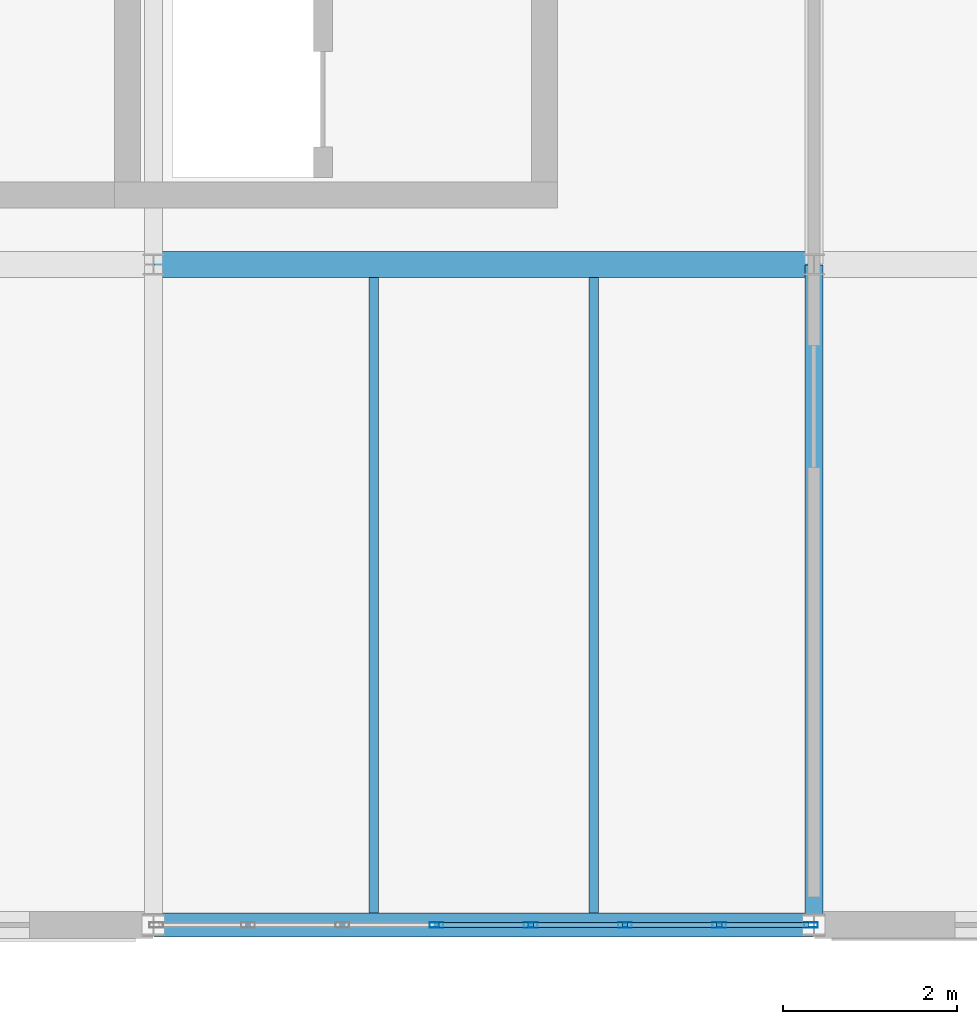
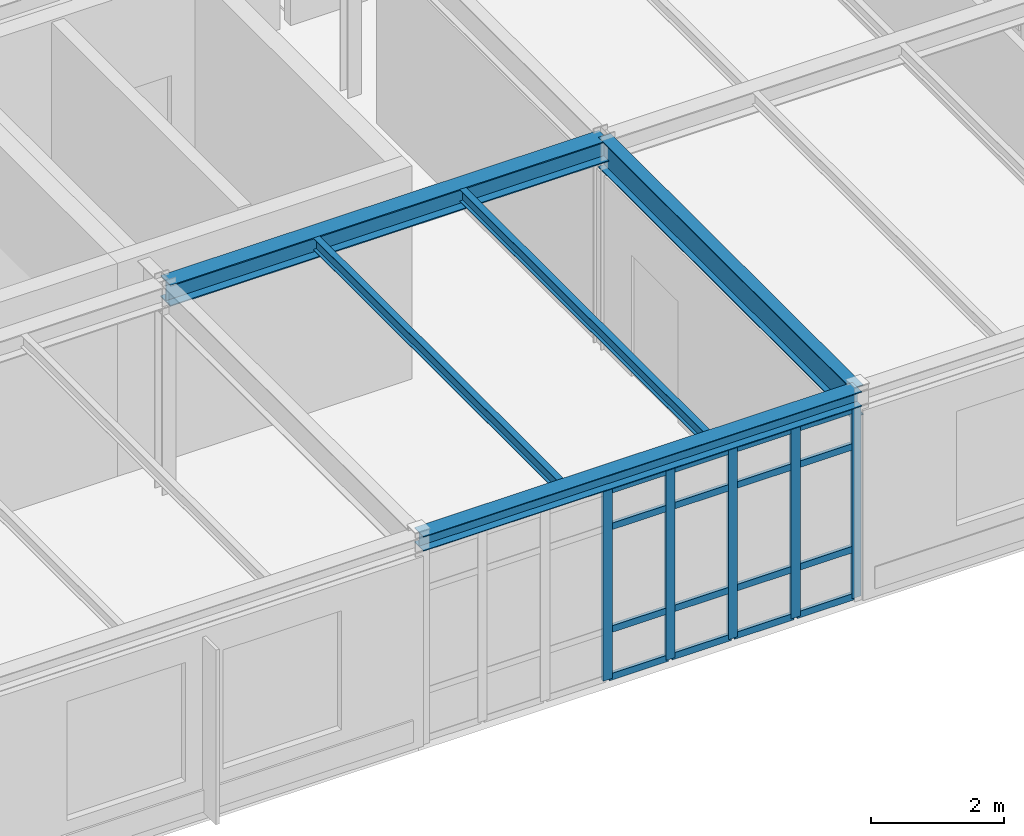
# One storey, part 25 of 189: 21 members, 5 beams, 1 element without a shape of its own.
"""IFC4 building model written with IfcOpenShell, lengths in metres."""

from ifc_helpers import new_model, si_unit, direction, frame, origin, origin_2d, place, context, subcontext, project, spatial, hollow_rectangle, i_section, extrude, material, layer, layer_set, material_profile, profile_set, type_object, element, aggregate, save


model = new_model("IFC4")

# Units and contexts
model_context = context("Model", 3, precision=1e-05, world=origin(), true_north=direction((0.0, 1.0)))
body_context = subcontext(model_context, "Body", "Model", "MODEL_VIEW")
ifc_project = project(units=[si_unit("LENGTHUNIT", "METRE"), si_unit("AREAUNIT", "SQUARE_METRE"), si_unit("VOLUMEUNIT", "CUBIC_METRE"), si_unit("PLANEANGLEUNIT", "RADIAN"), si_unit("MASSUNIT", "GRAM", prefix="KILO")], contexts=[model_context])

# Site, building, storey
site_placement = place(None, origin())
site = spatial("IfcSite", under=ifc_project, at=site_placement, CompositionType="ELEMENT")
building_placement = place(site_placement, origin())
building = spatial("IfcBuilding", under=site, at=building_placement, Name="Montecoro Central Library", CompositionType="ELEMENT")
storey_placement = place(building_placement, frame((0.0, 0.0, 9.179931640625)))
storey = spatial("IfcBuildingStorey", under=building, at=storey_placement, Name="L02", CompositionType="ELEMENT", Elevation=9.179931640625)

# Beams
ifc_material_1 = material(Name="Steel S355", Category="steel")
ifc_material_profile_1 = material_profile(ifc_material_1, i_section(OverallWidth=0.300048828125, OverallDepth=0.389892578125, WebThickness=0.010986328125, FlangeThickness=0.01904296875, at=origin_2d()), Name="HEA 400")
ifc_profile_set_1 = profile_set([ifc_material_profile_1], Name="Steel S355")
beam_type_1 = type_object("IfcBeamType", Name="BM-G-HEA400", PredefinedType="USERDEFINED", material=ifc_profile_set_1)
beam_1_placement = place(storey_placement, frame((12.60498046875, 12.60009765625, 3.630126953125), z_axis=(1.0, 0.0, 0.0), x_axis=(0.0, 1.0, 0.0)))
element("IfcBeam", 1, at=beam_1_placement, inside=storey, type_object=beam_type_1, Name="V3-L02-BX-23-B", ObjectType="GIRDER", PredefinedType="USERDEFINED", context=body_context, shape_type="SweptSolid", body=[
    extrude(i_section(OverallWidth=0.300048828125, OverallDepth=0.389892578125, WebThickness=0.010986328125, FlangeThickness=0.01904296875, at=origin_2d()), origin(), (0.0, 0.0, 1.0), 7.590087890625),
])
ifc_material_2 = material(Name="Steel S355J2", Category="steel")
ifc_material_profile_2 = material_profile(ifc_material_2, i_section(OverallWidth=0.2099609375, OverallDepth=0.550048828125, WebThickness=0.010986328125, FlangeThickness=0.01708984375, at=origin_2d()), Name="IPE 550")
ifc_profile_set_2 = profile_set([ifc_material_profile_2], Name="Steel S355J2")
beam_type_2 = type_object("IfcBeamType", Name="BM-G-IPE550", PredefinedType="USERDEFINED", material=ifc_profile_set_2)
beam_2_placement = place(storey_placement, frame((20.199951171875, 5.0048828125, 3.550048828125), z_axis=(0.0, 1.0, 0.0), x_axis=(-1.0, 0.0, 0.0)))
element("IfcBeam", 2, at=beam_2_placement, inside=storey, type_object=beam_type_2, Name="V3-L02-BY-3-AB", ObjectType="GIRDER", PredefinedType="USERDEFINED", context=body_context, shape_type="SweptSolid", body=[
    extrude(i_section(OverallWidth=0.2099609375, OverallDepth=0.550048828125, WebThickness=0.010986328125, FlangeThickness=0.01708984375, at=origin_2d()), origin(), (0.0, 0.0, 1.0), 7.590087890625),
])
ifc_material_profile_3 = material_profile(ifc_material_1, i_section(OverallWidth=0.110107421875, OverallDepth=0.219970703125, WebThickness=0.005859375, FlangeThickness=0.00927734375, at=origin_2d()), Name="IPE 220")
ifc_profile_set_3 = profile_set([ifc_material_profile_3], Name="Steel S355")
beam_type_3 = type_object("IfcBeamType", Name="BM-J-IPE220", PredefinedType="JOIST", material=ifc_profile_set_3)
for number, where, z_axis, x_axis, name in (
    (3, (15.133056640625, 5.136962890625, 3.715087890625), (0.0, 1.0, 0.0), (-1.0, 0.0, 0.0), "V3-L02-JS-23-AB-1"),
    (4, (17.6669921875, 5.136962890625, 3.715087890625), (0.0, 1.0, 0.0), (-1.0, 0.0, 0.0), "V3-L02-JS-23-AB-2"),
):
    element("IfcBeam", number, at=place(storey_placement, frame(where, z_axis=z_axis, x_axis=x_axis)), inside=storey, type_object=beam_type_3, Name=name, PredefinedType="JOIST", context=body_context, shape_type="SweptSolid", body=[
        extrude(i_section(OverallWidth=0.110107421875, OverallDepth=0.219970703125, WebThickness=0.005859375, FlangeThickness=0.00927734375, at=origin_2d()), origin(), (0.0, 0.0, 1.0), 7.31591796875),
    ])
ifc_material_profile_4 = material_profile(ifc_material_1, i_section(OverallWidth=0.280029296875, OverallDepth=0.27001953125, WebThickness=0.008056640625, FlangeThickness=0.012939453125, at=origin_2d()), Name="HEA 280")
ifc_profile_set_4 = profile_set([ifc_material_profile_4], Name="Steel S355")
beam_type_4 = type_object("IfcBeamType", Name="BM-SP-HEA280", PredefinedType="SPANDREL", material=ifc_profile_set_4)
beam_3_placement = place(storey_placement, frame((12.60498046875, 5.0, 3.690185546875), z_axis=(1.0, 0.0, 0.0), x_axis=(0.0, 1.0, 0.0)))
element("IfcBeam", 5, at=beam_3_placement, inside=storey, type_object=beam_type_4, Name="V3-L02-BX-23-A", PredefinedType="SPANDREL", context=body_context, shape_type="SweptSolid", body=[
    extrude(i_section(OverallWidth=0.280029296875, OverallDepth=0.27001953125, WebThickness=0.008056640625, FlangeThickness=0.012939453125, at=origin_2d()), origin(), (0.0, 0.0, 1.0), 7.590087890625),
])

# Curtain wall, members
ifc_material_3 = material(Name="Bronze-anodised aluminium and low-E glazing", Category="aluminium")
ifc_layer = layer(ifc_material_3, 0.159912109375)
ifc_layer_set = layer_set([ifc_layer], Name="Bronze-anodised aluminium and low-E glazing")
curtain_wall_type = type_object("IfcCurtainWallType", Name="CWT-033", PredefinedType="NOTDEFINED", material=ifc_layer_set)
curtain_wall_placement = place(storey_placement, origin())
curtain_wall = element("IfcCurtainWall", 6, at=curtain_wall_placement, inside=storey, type_object=curtain_wall_type, Name="V3-L02-CW-S1", PredefinedType="NOTDEFINED")
ifc_material_4 = material(Name="Bronze-anodised aluminium", Category="aluminium")
ifc_material_profile_5 = material_profile(ifc_material_4, hollow_rectangle(XDim=0.06005859375, YDim=0.159912109375, WallThickness=0.00390625, at=origin_2d()), Name="CWM 160x60x4.0")
ifc_profile_set_5 = profile_set([ifc_material_profile_5], Name="Bronze-anodised aluminium")
member_type_1 = type_object("IfcMemberType", Name="CWM-BRZ-60", PredefinedType="MULLION", material=ifc_profile_set_5)
member_1_placement = place(storey_placement, frame((15.857666015625, 5.0, 0.0), z_axis=(0.0, 0.0, 1.0), x_axis=(0.0, 1.0, 0.0)))
member_1 = element("IfcMember", 7, at=member_1_placement, type_object=member_type_1, Name="CW-033 mullion 4", PredefinedType="MULLION", context=body_context, shape_type="SweptSolid", body=[
    extrude(hollow_rectangle(XDim=0.06005859375, YDim=0.159912109375, WallThickness=0.00390625, at=origin_2d()), origin(), (0.0, 0.0, 1.0), 3.47998046875),
])
member_2_placement = place(storey_placement, frame((16.9423828125, 5.0, 0.0), z_axis=(0.0, 0.0, 1.0), x_axis=(0.0, 1.0, 0.0)))
member_2 = element("IfcMember", 8, at=member_2_placement, type_object=member_type_1, Name="CW-033 mullion 5", PredefinedType="MULLION", context=body_context, shape_type="SweptSolid", body=[
    extrude(hollow_rectangle(XDim=0.06005859375, YDim=0.159912109375, WallThickness=0.00390625, at=origin_2d()), origin(), (0.0, 0.0, 1.0), 3.47998046875),
])
member_3_placement = place(storey_placement, frame((18.02685546875, 5.0, 0.0), z_axis=(0.0, 0.0, 1.0), x_axis=(0.0, 1.0, 0.0)))
member_3 = element("IfcMember", 9, at=member_3_placement, type_object=member_type_1, Name="CW-033 mullion 6", PredefinedType="MULLION", context=body_context, shape_type="SweptSolid", body=[
    extrude(hollow_rectangle(XDim=0.06005859375, YDim=0.159912109375, WallThickness=0.00390625, at=origin_2d()), origin(), (0.0, 0.0, 1.0), 3.47998046875),
])
member_4_placement = place(storey_placement, frame((19.111328125, 5.0, 0.0), z_axis=(0.0, 0.0, 1.0), x_axis=(0.0, 1.0, 0.0)))
member_4 = element("IfcMember", 10, at=member_4_placement, type_object=member_type_1, Name="CW-033 mullion 7", PredefinedType="MULLION", context=body_context, shape_type="SweptSolid", body=[
    extrude(hollow_rectangle(XDim=0.06005859375, YDim=0.159912109375, WallThickness=0.00390625, at=origin_2d()), origin(), (0.0, 0.0, 1.0), 3.47998046875),
])
member_5_placement = place(storey_placement, frame((20.166015625, 5.0, 0.0), z_axis=(0.0, 0.0, 1.0), x_axis=(0.0, 1.0, 0.0)))
member_5 = element("IfcMember", 11, at=member_5_placement, type_object=member_type_1, Name="CW-033 mullion 8", PredefinedType="MULLION", context=body_context, shape_type="SweptSolid", body=[
    extrude(hollow_rectangle(XDim=0.06005859375, YDim=0.159912109375, WallThickness=0.00390625, at=origin_2d()), origin(), (0.0, 0.0, 1.0), 3.47998046875),
])
ifc_material_profile_6 = material_profile(ifc_material_4, hollow_rectangle(XDim=0.06005859375, YDim=0.1201171875, WallThickness=0.00390625, at=origin_2d()), Name="CWT 120x60x4.0")
ifc_profile_set_6 = profile_set([ifc_material_profile_6], Name="Bronze-anodised aluminium")
member_type_2 = type_object("IfcMemberType", Name="CWT-BRZ-60", PredefinedType="USERDEFINED", material=ifc_profile_set_6)
member_6_placement = place(storey_placement, frame((15.8876953125, 5.0, 0.030029296875), z_axis=(1.0, 0.0, 0.0), x_axis=(0.0, 1.0, 0.0)))
member_6 = element("IfcMember", 12, at=member_6_placement, type_object=member_type_2, Name="CW-033 transom 4.1", ObjectType="TRANSOM", PredefinedType="USERDEFINED", context=body_context, shape_type="SweptSolid", body=[
    extrude(hollow_rectangle(XDim=0.06005859375, YDim=0.1201171875, WallThickness=0.00390625, at=origin_2d()), origin(), (0.0, 0.0, 1.0), 1.024658203125),
])
member_7_placement = place(storey_placement, frame((15.8876953125, 5.0, 0.900146484375), z_axis=(1.0, 0.0, 0.0), x_axis=(0.0, 1.0, 0.0)))
member_7 = element("IfcMember", 13, at=member_7_placement, type_object=member_type_2, Name="CW-033 transom 4.2", ObjectType="TRANSOM", PredefinedType="USERDEFINED", context=body_context, shape_type="SweptSolid", body=[
    extrude(hollow_rectangle(XDim=0.06005859375, YDim=0.1201171875, WallThickness=0.00390625, at=origin_2d()), origin(), (0.0, 0.0, 1.0), 1.024658203125),
])
member_8_placement = place(storey_placement, frame((15.8876953125, 5.0, 2.780029296875), z_axis=(1.0, 0.0, 0.0), x_axis=(0.0, 1.0, 0.0)))
member_8 = element("IfcMember", 14, at=member_8_placement, type_object=member_type_2, Name="CW-033 transom 4.3", ObjectType="TRANSOM", PredefinedType="USERDEFINED", context=body_context, shape_type="SweptSolid", body=[
    extrude(hollow_rectangle(XDim=0.06005859375, YDim=0.1201171875, WallThickness=0.00390625, at=origin_2d()), origin(), (0.0, 0.0, 1.0), 1.024658203125),
])
member_9_placement = place(storey_placement, frame((15.8876953125, 5.0, 3.449951171875), z_axis=(1.0, 0.0, 0.0), x_axis=(0.0, 1.0, 0.0)))
member_9 = element("IfcMember", 15, at=member_9_placement, type_object=member_type_2, Name="CW-033 transom 4.4", ObjectType="TRANSOM", PredefinedType="USERDEFINED", context=body_context, shape_type="SweptSolid", body=[
    extrude(hollow_rectangle(XDim=0.06005859375, YDim=0.1201171875, WallThickness=0.00390625, at=origin_2d()), origin(), (0.0, 0.0, 1.0), 1.024658203125),
])
member_10_placement = place(storey_placement, frame((16.97216796875, 5.0, 0.030029296875), z_axis=(1.0, 0.0, 0.0), x_axis=(0.0, 1.0, 0.0)))
member_10 = element("IfcMember", 16, at=member_10_placement, type_object=member_type_2, Name="CW-033 transom 5.1", ObjectType="TRANSOM", PredefinedType="USERDEFINED", context=body_context, shape_type="SweptSolid", body=[
    extrude(hollow_rectangle(XDim=0.06005859375, YDim=0.1201171875, WallThickness=0.00390625, at=origin_2d()), origin(), (0.0, 0.0, 1.0), 1.024658203125),
])
member_11_placement = place(storey_placement, frame((16.97216796875, 5.0, 0.900146484375), z_axis=(1.0, 0.0, 0.0), x_axis=(0.0, 1.0, 0.0)))
member_11 = element("IfcMember", 17, at=member_11_placement, type_object=member_type_2, Name="CW-033 transom 5.2", ObjectType="TRANSOM", PredefinedType="USERDEFINED", context=body_context, shape_type="SweptSolid", body=[
    extrude(hollow_rectangle(XDim=0.06005859375, YDim=0.1201171875, WallThickness=0.00390625, at=origin_2d()), origin(), (0.0, 0.0, 1.0), 1.024658203125),
])
member_12_placement = place(storey_placement, frame((16.97216796875, 5.0, 2.780029296875), z_axis=(1.0, 0.0, 0.0), x_axis=(0.0, 1.0, 0.0)))
member_12 = element("IfcMember", 18, at=member_12_placement, type_object=member_type_2, Name="CW-033 transom 5.3", ObjectType="TRANSOM", PredefinedType="USERDEFINED", context=body_context, shape_type="SweptSolid", body=[
    extrude(hollow_rectangle(XDim=0.06005859375, YDim=0.1201171875, WallThickness=0.00390625, at=origin_2d()), origin(), (0.0, 0.0, 1.0), 1.024658203125),
])
member_13_placement = place(storey_placement, frame((16.97216796875, 5.0, 3.449951171875), z_axis=(1.0, 0.0, 0.0), x_axis=(0.0, 1.0, 0.0)))
member_13 = element("IfcMember", 19, at=member_13_placement, type_object=member_type_2, Name="CW-033 transom 5.4", ObjectType="TRANSOM", PredefinedType="USERDEFINED", context=body_context, shape_type="SweptSolid", body=[
    extrude(hollow_rectangle(XDim=0.06005859375, YDim=0.1201171875, WallThickness=0.00390625, at=origin_2d()), origin(), (0.0, 0.0, 1.0), 1.024658203125),
])
member_14_placement = place(storey_placement, frame((18.056884765625, 5.0, 0.030029296875), z_axis=(1.0, 0.0, 0.0), x_axis=(0.0, 1.0, 0.0)))
member_14 = element("IfcMember", 20, at=member_14_placement, type_object=member_type_2, Name="CW-033 transom 6.1", ObjectType="TRANSOM", PredefinedType="USERDEFINED", context=body_context, shape_type="SweptSolid", body=[
    extrude(hollow_rectangle(XDim=0.06005859375, YDim=0.1201171875, WallThickness=0.00390625, at=origin_2d()), origin(), (0.0, 0.0, 1.0), 1.024658203125),
])
member_15_placement = place(storey_placement, frame((18.056884765625, 5.0, 0.900146484375), z_axis=(1.0, 0.0, 0.0), x_axis=(0.0, 1.0, 0.0)))
member_15 = element("IfcMember", 21, at=member_15_placement, type_object=member_type_2, Name="CW-033 transom 6.2", ObjectType="TRANSOM", PredefinedType="USERDEFINED", context=body_context, shape_type="SweptSolid", body=[
    extrude(hollow_rectangle(XDim=0.06005859375, YDim=0.1201171875, WallThickness=0.00390625, at=origin_2d()), origin(), (0.0, 0.0, 1.0), 1.024658203125),
])
member_16_placement = place(storey_placement, frame((18.056884765625, 5.0, 2.780029296875), z_axis=(1.0, 0.0, 0.0), x_axis=(0.0, 1.0, 0.0)))
member_16 = element("IfcMember", 22, at=member_16_placement, type_object=member_type_2, Name="CW-033 transom 6.3", ObjectType="TRANSOM", PredefinedType="USERDEFINED", context=body_context, shape_type="SweptSolid", body=[
    extrude(hollow_rectangle(XDim=0.06005859375, YDim=0.1201171875, WallThickness=0.00390625, at=origin_2d()), origin(), (0.0, 0.0, 1.0), 1.024658203125),
])
member_17_placement = place(storey_placement, frame((18.056884765625, 5.0, 3.449951171875), z_axis=(1.0, 0.0, 0.0), x_axis=(0.0, 1.0, 0.0)))
member_17 = element("IfcMember", 23, at=member_17_placement, type_object=member_type_2, Name="CW-033 transom 6.4", ObjectType="TRANSOM", PredefinedType="USERDEFINED", context=body_context, shape_type="SweptSolid", body=[
    extrude(hollow_rectangle(XDim=0.06005859375, YDim=0.1201171875, WallThickness=0.00390625, at=origin_2d()), origin(), (0.0, 0.0, 1.0), 1.024658203125),
])
member_18_placement = place(storey_placement, frame((19.141357421875, 5.0, 0.030029296875), z_axis=(1.0, 0.0, 0.0), x_axis=(0.0, 1.0, 0.0)))
member_18 = element("IfcMember", 24, at=member_18_placement, type_object=member_type_2, Name="CW-033 transom 7.1", ObjectType="TRANSOM", PredefinedType="USERDEFINED", context=body_context, shape_type="SweptSolid", body=[
    extrude(hollow_rectangle(XDim=0.06005859375, YDim=0.1201171875, WallThickness=0.00390625, at=origin_2d()), origin(), (0.0, 0.0, 1.0), 0.99462890625),
])
member_19_placement = place(storey_placement, frame((19.141357421875, 5.0, 0.900146484375), z_axis=(1.0, 0.0, 0.0), x_axis=(0.0, 1.0, 0.0)))
member_19 = element("IfcMember", 25, at=member_19_placement, type_object=member_type_2, Name="CW-033 transom 7.2", ObjectType="TRANSOM", PredefinedType="USERDEFINED", context=body_context, shape_type="SweptSolid", body=[
    extrude(hollow_rectangle(XDim=0.06005859375, YDim=0.1201171875, WallThickness=0.00390625, at=origin_2d()), origin(), (0.0, 0.0, 1.0), 0.99462890625),
])
member_20_placement = place(storey_placement, frame((19.141357421875, 5.0, 2.780029296875), z_axis=(1.0, 0.0, 0.0), x_axis=(0.0, 1.0, 0.0)))
member_20 = element("IfcMember", 26, at=member_20_placement, type_object=member_type_2, Name="CW-033 transom 7.3", ObjectType="TRANSOM", PredefinedType="USERDEFINED", context=body_context, shape_type="SweptSolid", body=[
    extrude(hollow_rectangle(XDim=0.06005859375, YDim=0.1201171875, WallThickness=0.00390625, at=origin_2d()), origin(), (0.0, 0.0, 1.0), 0.99462890625),
])
member_21_placement = place(storey_placement, frame((19.141357421875, 5.0, 3.449951171875), z_axis=(1.0, 0.0, 0.0), x_axis=(0.0, 1.0, 0.0)))
member_21 = element("IfcMember", 27, at=member_21_placement, type_object=member_type_2, Name="CW-033 transom 7.4", ObjectType="TRANSOM", PredefinedType="USERDEFINED", context=body_context, shape_type="SweptSolid", body=[
    extrude(hollow_rectangle(XDim=0.06005859375, YDim=0.1201171875, WallThickness=0.00390625, at=origin_2d()), origin(), (0.0, 0.0, 1.0), 0.99462890625),
])
aggregate(curtain_wall, [member_1, member_2, member_3, member_4, member_5, member_6, member_7, member_8, member_9, member_10, member_11, member_12, member_13, member_14, member_15, member_16, member_17, member_18, member_19, member_20, member_21])

save(model, "model.ifc")
